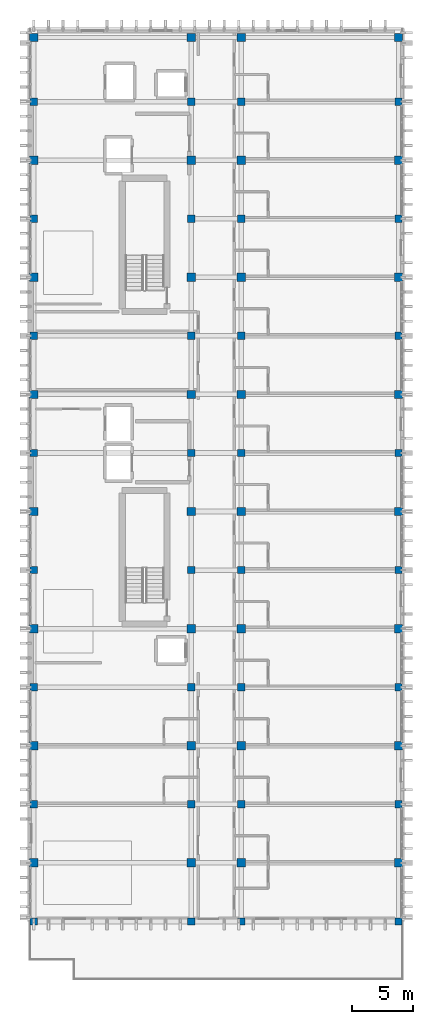
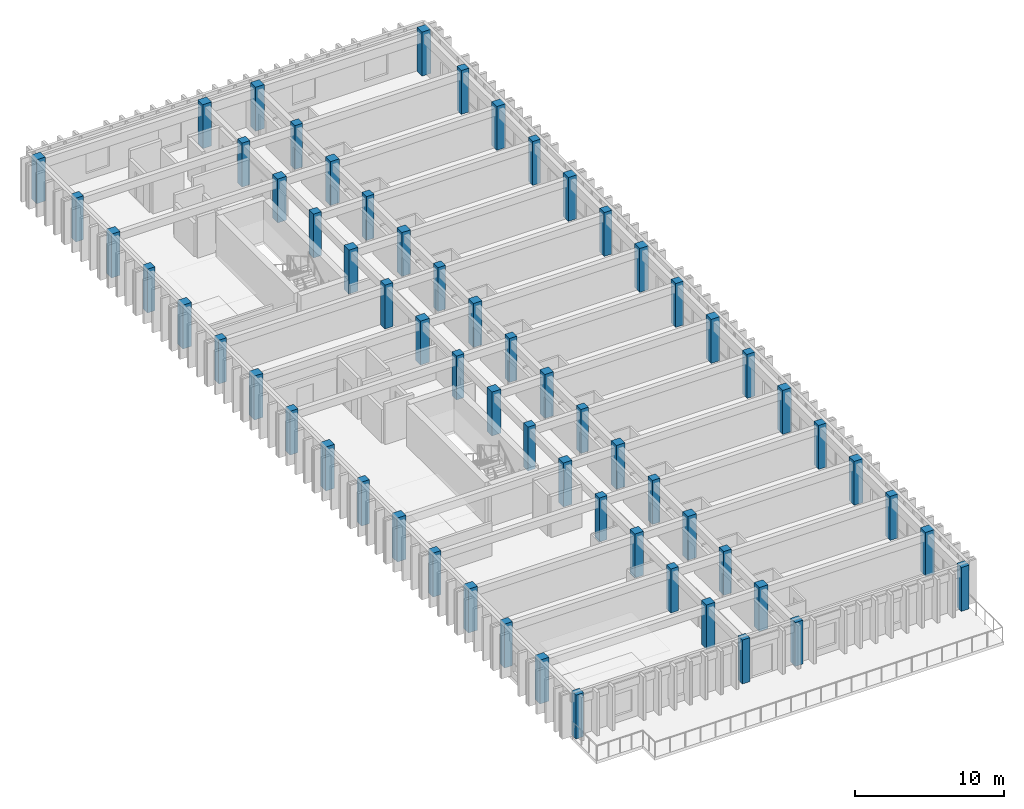
# One storey, part 1 of 53: 64 columns.
"""IFC4 building model written with IfcOpenShell, lengths in metres."""

from ifc_helpers import new_model, si_unit, direction, frame, origin, origin_2d, place, context, subcontext, project, spatial, rectangle, extrude, material, material_profile, profile_set, type_object, element, save


model = new_model("IFC4")

# Units and contexts
model_context = context("Model", 3, precision=1e-05, world=origin(), true_north=direction((0.0, 1.0)))
body_context = subcontext(model_context, "Body", "Model", "MODEL_VIEW")
ifc_project = project(units=[si_unit("LENGTHUNIT", "METRE"), si_unit("AREAUNIT", "SQUARE_METRE"), si_unit("VOLUMEUNIT", "CUBIC_METRE"), si_unit("PLANEANGLEUNIT", "RADIAN"), si_unit("MASSUNIT", "GRAM", prefix="KILO")], contexts=[model_context])

# Site, building, storey
site_placement = place(None, origin())
site = spatial("IfcSite", under=ifc_project, at=site_placement, CompositionType="ELEMENT")
building_placement = place(site_placement, origin())
building = spatial("IfcBuilding", under=site, at=building_placement, Name="Nakhvara Creek Congress Hotel", CompositionType="ELEMENT")
storey_placement = place(building_placement, frame((0.0, 0.0, 35.39990234375)))
storey = spatial("IfcBuildingStorey", under=building, at=storey_placement, Name="L08", CompositionType="ELEMENT", Elevation=35.39990234375)

# Columns
ifc_material = material(Name="Concrete C50/60", Category="concrete")
ifc_material_profile_1 = material_profile(ifc_material, rectangle(XDim=0.60009765625, YDim=0.60009765625, at=origin_2d()), Name="RC-COL 600x600", Category="LoadBearing")
ifc_profile_set_1 = profile_set([ifc_material_profile_1], Name="Concrete C50/60")
column_type_1 = type_object("IfcColumnType", Name="COL-RC-600", PredefinedType="COLUMN", material=ifc_profile_set_1)
for number, where, z_axis, x_axis, name in (
    (1, (149.449951171875, 52.800048828125, 0.0), (0.0, 0.0, 1.0), (1.0, 0.0, 0.0), "Column C08-L08-1727"),
    (2, (149.449951171875, 62.39990234375, 0.0), (0.0, 0.0, 1.0), (1.0, 0.0, 0.0), "Column C08-L08-1728"),
    (3, (149.449951171875, 72.0, 0.0), (0.0, 0.0, 1.0), (1.0, 0.0, 0.0), "Column C08-L08-1729"),
    (4, (149.449951171875, 81.60009765625, 0.0), (0.0, 0.0, 1.0), (1.0, 0.0, 0.0), "Column C08-L08-1730"),
    (5, (149.449951171875, 91.199951171875, 0.0), (0.0, 0.0, 1.0), (1.0, 0.0, 0.0), "Column C08-L08-1731"),
    (6, (149.449951171875, 100.800048828125, 0.0), (0.0, 0.0, 1.0), (1.0, 0.0, 0.0), "Column C08-L08-1732"),
    (7, (149.449951171875, 110.39990234375, 0.0), (0.0, 0.0, 1.0), (1.0, 0.0, 0.0), "Column C08-L08-1733"),
    (8, (149.449951171875, 120.0, 0.0), (0.0, 0.0, 1.0), (1.0, 0.0, 0.0), "Column C08-L08-1734"),
    (9, (162.35009765625, 52.800048828125, 0.0), (0.0, 0.0, 1.0), (1.0, 0.0, 0.0), "Column C08-L08-1735"),
    (10, (162.35009765625, 62.39990234375, 0.0), (0.0, 0.0, 1.0), (1.0, 0.0, 0.0), "Column C08-L08-1736"),
    (11, (162.35009765625, 72.0, 0.0), (0.0, 0.0, 1.0), (1.0, 0.0, 0.0), "Column C08-L08-1737"),
    (12, (162.35009765625, 81.60009765625, 0.0), (0.0, 0.0, 1.0), (1.0, 0.0, 0.0), "Column C08-L08-1738"),
    (13, (162.35009765625, 91.199951171875, 0.0), (0.0, 0.0, 1.0), (1.0, 0.0, 0.0), "Column C08-L08-1739"),
    (14, (162.35009765625, 100.800048828125, 0.0), (0.0, 0.0, 1.0), (1.0, 0.0, 0.0), "Column C08-L08-1740"),
    (15, (162.35009765625, 110.39990234375, 0.0), (0.0, 0.0, 1.0), (1.0, 0.0, 0.0), "Column C08-L08-1741"),
    (16, (162.35009765625, 120.0, 0.0), (0.0, 0.0, 1.0), (1.0, 0.0, 0.0), "Column C08-L08-1742"),
    (17, (166.449951171875, 52.800048828125, 0.0), (0.0, 0.0, 1.0), (1.0, 0.0, 0.0), "Column C08-L08-1743"),
    (18, (166.449951171875, 62.39990234375, 0.0), (0.0, 0.0, 1.0), (1.0, 0.0, 0.0), "Column C08-L08-1744"),
    (19, (166.449951171875, 72.0, 0.0), (0.0, 0.0, 1.0), (1.0, 0.0, 0.0), "Column C08-L08-1745"),
    (20, (166.449951171875, 81.60009765625, 0.0), (0.0, 0.0, 1.0), (1.0, 0.0, 0.0), "Column C08-L08-1746"),
    (21, (166.449951171875, 91.199951171875, 0.0), (0.0, 0.0, 1.0), (1.0, 0.0, 0.0), "Column C08-L08-1747"),
    (22, (166.449951171875, 100.800048828125, 0.0), (0.0, 0.0, 1.0), (1.0, 0.0, 0.0), "Column C08-L08-1748"),
    (23, (166.449951171875, 110.39990234375, 0.0), (0.0, 0.0, 1.0), (1.0, 0.0, 0.0), "Column C08-L08-1749"),
    (24, (166.449951171875, 120.0, 0.0), (0.0, 0.0, 1.0), (1.0, 0.0, 0.0), "Column C08-L08-1750"),
    (25, (179.35009765625, 52.800048828125, 0.0), (0.0, 0.0, 1.0), (1.0, 0.0, 0.0), "Column C08-L08-1751"),
    (26, (179.35009765625, 62.39990234375, 0.0), (0.0, 0.0, 1.0), (1.0, 0.0, 0.0), "Column C08-L08-1752"),
    (27, (179.35009765625, 72.0, 0.0), (0.0, 0.0, 1.0), (1.0, 0.0, 0.0), "Column C08-L08-1753"),
    (28, (179.35009765625, 81.60009765625, 0.0), (0.0, 0.0, 1.0), (1.0, 0.0, 0.0), "Column C08-L08-1754"),
    (29, (179.35009765625, 91.199951171875, 0.0), (0.0, 0.0, 1.0), (1.0, 0.0, 0.0), "Column C08-L08-1755"),
    (30, (179.35009765625, 100.800048828125, 0.0), (0.0, 0.0, 1.0), (1.0, 0.0, 0.0), "Column C08-L08-1756"),
    (31, (179.35009765625, 110.39990234375, 0.0), (0.0, 0.0, 1.0), (1.0, 0.0, 0.0), "Column C08-L08-1757"),
    (32, (179.35009765625, 120.0, 0.0), (0.0, 0.0, 1.0), (1.0, 0.0, 0.0), "Column C08-L08-1758"),
):
    element("IfcColumn", number, at=place(storey_placement, frame(where, z_axis=z_axis, x_axis=x_axis)), inside=storey, type_object=column_type_1, Name=name, PredefinedType="COLUMN", context=body_context, shape_type="SweptSolid", body=[
        extrude(rectangle(XDim=0.60009765625, YDim=0.60009765625, at=origin_2d()), origin(), (0.0, 0.0, 1.0), 3.60009765625),
    ])
ifc_material_profile_2 = material_profile(ifc_material, rectangle(XDim=0.679931640625, YDim=0.679931640625, at=origin_2d()), Name="RC-COL 680x680", Category="LoadBearing")
ifc_profile_set_2 = profile_set([ifc_material_profile_2], Name="Concrete C50/60")
column_type_2 = type_object("IfcColumnType", Name="COL-RC-680", PredefinedType="COLUMN", material=ifc_profile_set_2)
for number, where, z_axis, x_axis, name in (
    (33, (149.449951171875, 57.60009765625, 0.0), (0.0, 0.0, 1.0), (1.0, 0.0, 0.0), "Column C21-L08-1695"),
    (34, (149.449951171875, 67.199951171875, 0.0), (0.0, 0.0, 1.0), (1.0, 0.0, 0.0), "Column C21-L08-1696"),
    (35, (149.449951171875, 76.800048828125, 0.0), (0.0, 0.0, 1.0), (1.0, 0.0, 0.0), "Column C21-L08-1697"),
    (36, (149.449951171875, 86.39990234375, 0.0), (0.0, 0.0, 1.0), (1.0, 0.0, 0.0), "Column C21-L08-1698"),
    (37, (149.449951171875, 96.0, 0.0), (0.0, 0.0, 1.0), (1.0, 0.0, 0.0), "Column C21-L08-1699"),
    (38, (149.449951171875, 105.60009765625, 0.0), (0.0, 0.0, 1.0), (1.0, 0.0, 0.0), "Column C21-L08-1700"),
    (39, (149.449951171875, 115.199951171875, 0.0), (0.0, 0.0, 1.0), (1.0, 0.0, 0.0), "Column C21-L08-1701"),
    (40, (149.449951171875, 125.25, 0.0), (0.0, 0.0, 1.0), (1.0, 0.0, 0.0), "Column C21-L08-1702"),
    (41, (162.35009765625, 57.60009765625, 0.0), (0.0, 0.0, 1.0), (1.0, 0.0, 0.0), "Column C21-L08-1703"),
    (42, (162.35009765625, 67.199951171875, 0.0), (0.0, 0.0, 1.0), (1.0, 0.0, 0.0), "Column C21-L08-1704"),
    (43, (162.35009765625, 76.800048828125, 0.0), (0.0, 0.0, 1.0), (1.0, 0.0, 0.0), "Column C21-L08-1705"),
    (44, (162.35009765625, 86.39990234375, 0.0), (0.0, 0.0, 1.0), (1.0, 0.0, 0.0), "Column C21-L08-1706"),
    (45, (162.35009765625, 96.0, 0.0), (0.0, 0.0, 1.0), (1.0, 0.0, 0.0), "Column C21-L08-1707"),
    (46, (162.35009765625, 105.60009765625, 0.0), (0.0, 0.0, 1.0), (1.0, 0.0, 0.0), "Column C21-L08-1708"),
    (47, (162.35009765625, 115.199951171875, 0.0), (0.0, 0.0, 1.0), (1.0, 0.0, 0.0), "Column C21-L08-1709"),
    (48, (162.35009765625, 125.25, 0.0), (0.0, 0.0, 1.0), (1.0, 0.0, 0.0), "Column C21-L08-1710"),
    (49, (166.449951171875, 57.60009765625, 0.0), (0.0, 0.0, 1.0), (1.0, 0.0, 0.0), "Column C21-L08-1711"),
    (50, (166.449951171875, 67.199951171875, 0.0), (0.0, 0.0, 1.0), (1.0, 0.0, 0.0), "Column C21-L08-1712"),
    (51, (166.449951171875, 76.800048828125, 0.0), (0.0, 0.0, 1.0), (1.0, 0.0, 0.0), "Column C21-L08-1713"),
    (52, (166.449951171875, 86.39990234375, 0.0), (0.0, 0.0, 1.0), (1.0, 0.0, 0.0), "Column C21-L08-1714"),
    (53, (166.449951171875, 96.0, 0.0), (0.0, 0.0, 1.0), (1.0, 0.0, 0.0), "Column C21-L08-1715"),
    (54, (166.449951171875, 105.60009765625, 0.0), (0.0, 0.0, 1.0), (1.0, 0.0, 0.0), "Column C21-L08-1716"),
    (55, (166.449951171875, 115.199951171875, 0.0), (0.0, 0.0, 1.0), (1.0, 0.0, 0.0), "Column C21-L08-1717"),
    (56, (166.449951171875, 125.25, 0.0), (0.0, 0.0, 1.0), (1.0, 0.0, 0.0), "Column C21-L08-1718"),
    (57, (179.35009765625, 57.60009765625, 0.0), (0.0, 0.0, 1.0), (1.0, 0.0, 0.0), "Column C21-L08-1719"),
    (58, (179.35009765625, 67.199951171875, 0.0), (0.0, 0.0, 1.0), (1.0, 0.0, 0.0), "Column C21-L08-1720"),
    (59, (179.35009765625, 76.800048828125, 0.0), (0.0, 0.0, 1.0), (1.0, 0.0, 0.0), "Column C21-L08-1721"),
    (60, (179.35009765625, 86.39990234375, 0.0), (0.0, 0.0, 1.0), (1.0, 0.0, 0.0), "Column C21-L08-1722"),
    (61, (179.35009765625, 96.0, 0.0), (0.0, 0.0, 1.0), (1.0, 0.0, 0.0), "Column C21-L08-1723"),
    (62, (179.35009765625, 105.60009765625, 0.0), (0.0, 0.0, 1.0), (1.0, 0.0, 0.0), "Column C21-L08-1724"),
    (63, (179.35009765625, 115.199951171875, 0.0), (0.0, 0.0, 1.0), (1.0, 0.0, 0.0), "Column C21-L08-1725"),
    (64, (179.35009765625, 125.25, 0.0), (0.0, 0.0, 1.0), (1.0, 0.0, 0.0), "Column C21-L08-1726"),
):
    element("IfcColumn", number, at=place(storey_placement, frame(where, z_axis=z_axis, x_axis=x_axis)), inside=storey, type_object=column_type_2, Name=name, PredefinedType="COLUMN", context=body_context, shape_type="SweptSolid", body=[
        extrude(rectangle(XDim=0.679931640625, YDim=0.679931640625, at=origin_2d()), origin(), (0.0, 0.0, 1.0), 3.60009765625),
    ])

save(model, "model.ifc")
